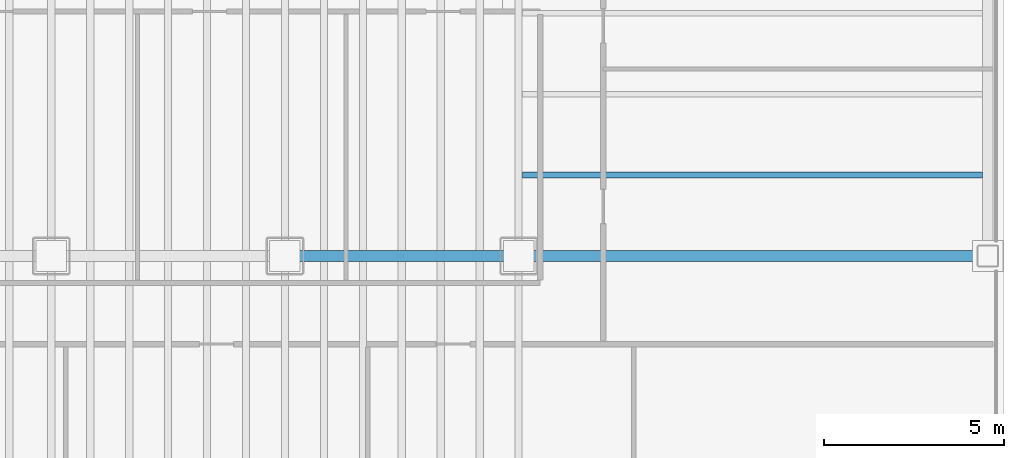
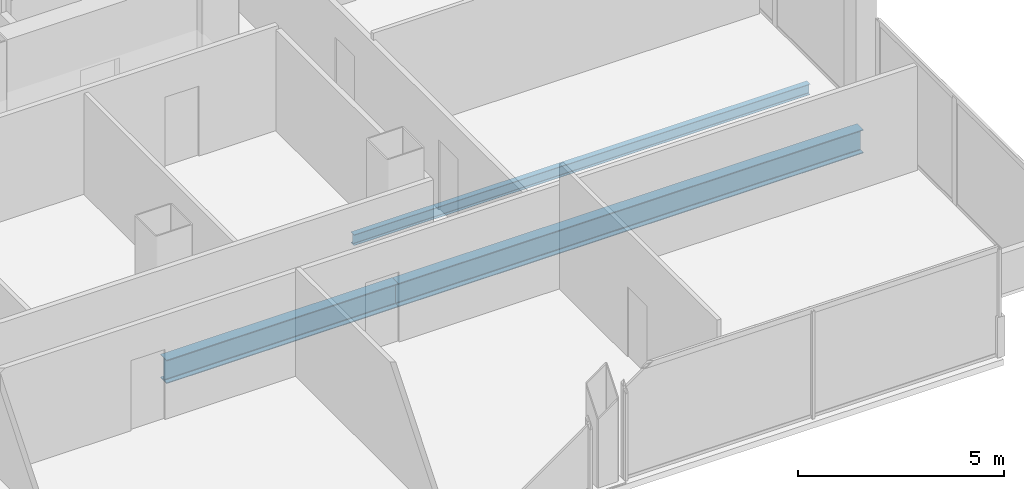
# One storey, part 10 of 21: 3 beams.
"""IFC4 building model written with IfcOpenShell, lengths in metres."""

from ifc_helpers import new_model, si_unit, direction, frame, origin, origin_2d, place, context, subcontext, project, spatial, i_section, extrude, material, material_profile, profile_set, type_object, element, save


model = new_model("IFC4")

# Units and contexts
model_context = context("Model", 3, precision=1e-05, world=origin(), true_north=direction((0.0, 1.0)))
body_context = subcontext(model_context, "Body", "Model", "MODEL_VIEW")
ifc_project = project(units=[si_unit("LENGTHUNIT", "METRE"), si_unit("AREAUNIT", "SQUARE_METRE"), si_unit("VOLUMEUNIT", "CUBIC_METRE"), si_unit("PLANEANGLEUNIT", "RADIAN"), si_unit("MASSUNIT", "GRAM", prefix="KILO")], contexts=[model_context])

# Site, building, storey
site_placement = place(None, origin())
site = spatial("IfcSite", under=ifc_project, at=site_placement, CompositionType="ELEMENT")
building_placement = place(site_placement, origin())
building = spatial("IfcBuilding", under=site, at=building_placement, Name="Noeulbin Bourse Tower", CompositionType="ELEMENT")
storey_placement = place(building_placement, frame((0.0, 0.0, 92.800048828125)))
storey = spatial("IfcBuildingStorey", under=building, at=storey_placement, Name="L23", CompositionType="ELEMENT", Elevation=92.800048828125)

# Beams
ifc_material = material(Name="Steel S355", Category="steel")
ifc_material_profile_1 = material_profile(ifc_material, i_section(OverallWidth=0.300048828125, OverallDepth=0.699951171875, WebThickness=0.012939453125, FlangeThickness=0.02392578125, FilletRadius=0.02392578125, at=origin_2d()), Name="H-700x300x13x24", Category="LoadBearing")
ifc_profile_set_1 = profile_set([ifc_material_profile_1], Name="Steel S355")
beam_type_1 = type_object("IfcBeamType", Name="BM-GRD-700", PredefinedType="USERDEFINED", material=ifc_profile_set_1)
beam_1_placement = place(storey_placement, frame((37.5, 20.0, -0.530029296875), z_axis=(1.0, 0.0, 0.0), x_axis=(0.0, 1.0, 0.0)))
element("IfcBeam", 1, at=beam_1_placement, inside=storey, type_object=beam_type_1, Name="Tower Primary Girder EW L23-1.5", ObjectType="GIRDER", PredefinedType="USERDEFINED", context=body_context, shape_type="SweptSolid", body=[
    extrude(i_section(OverallWidth=0.300048828125, OverallDepth=0.699951171875, WebThickness=0.012939453125, FlangeThickness=0.02392578125, FilletRadius=0.02392578125, at=origin_2d()), origin(), (0.0, 0.0, 1.0), 6.5),
])
beam_2_placement = place(storey_placement, frame((44.0, 20.0, -0.530029296875), z_axis=(1.0, 0.0, 0.0), x_axis=(0.0, 1.0, 0.0)))
element("IfcBeam", 2, at=beam_2_placement, inside=storey, type_object=beam_type_1, Name="Tower Primary Girder EW L23-1.6", ObjectType="GIRDER", PredefinedType="USERDEFINED", context=body_context, shape_type="SweptSolid", body=[
    extrude(i_section(OverallWidth=0.300048828125, OverallDepth=0.699951171875, WebThickness=0.012939453125, FlangeThickness=0.02392578125, FilletRadius=0.02392578125, at=origin_2d()), origin(), (0.0, 0.0, 1.0), 13.050048828125),
])
ifc_material_profile_2 = material_profile(ifc_material, i_section(OverallWidth=0.159912109375, OverallDepth=0.320068359375, WebThickness=0.006591796875, FlangeThickness=0.010009765625, FilletRadius=0.012939453125, at=origin_2d()), Name="H-320x160x6.5x10", Category="LoadBearing")
ifc_profile_set_2 = profile_set([ifc_material_profile_2], Name="Steel S355")
beam_type_2 = type_object("IfcBeamType", Name="BM-JST-320", PredefinedType="JOIST", material=ifc_profile_set_2)
beam_3_placement = place(storey_placement, frame((44.10009765625, 22.25, -0.340087890625), z_axis=(1.0, 0.0, 0.0), x_axis=(0.0, 1.0, 0.0)))
element("IfcBeam", 3, at=beam_3_placement, inside=storey, type_object=beam_type_2, Name="Wing Composite Joist L23-E76", PredefinedType="JOIST", context=body_context, shape_type="SweptSolid", body=[
    extrude(i_section(OverallWidth=0.159912109375, OverallDepth=0.320068359375, WebThickness=0.006591796875, FlangeThickness=0.010009765625, FilletRadius=0.012939453125, at=origin_2d()), origin(), (0.0, 0.0, 1.0), 12.7998046875),
])

save(model, "model.ifc")
